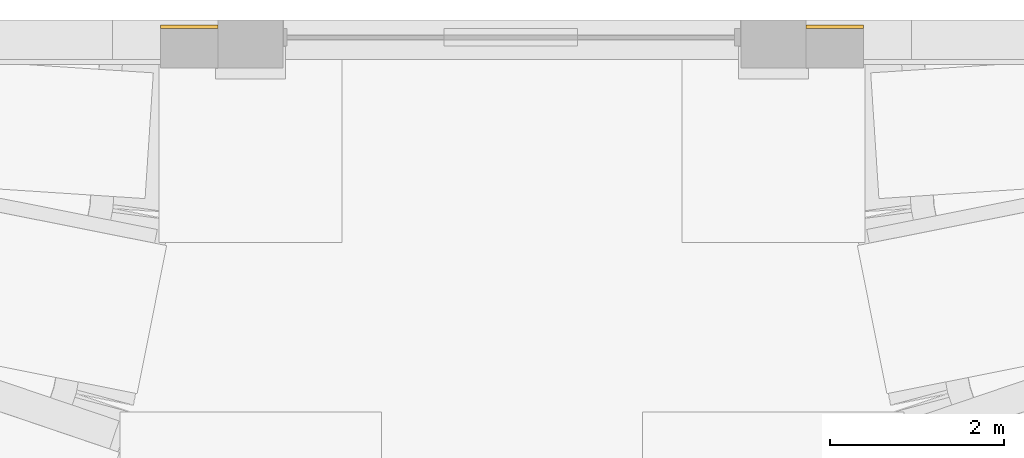
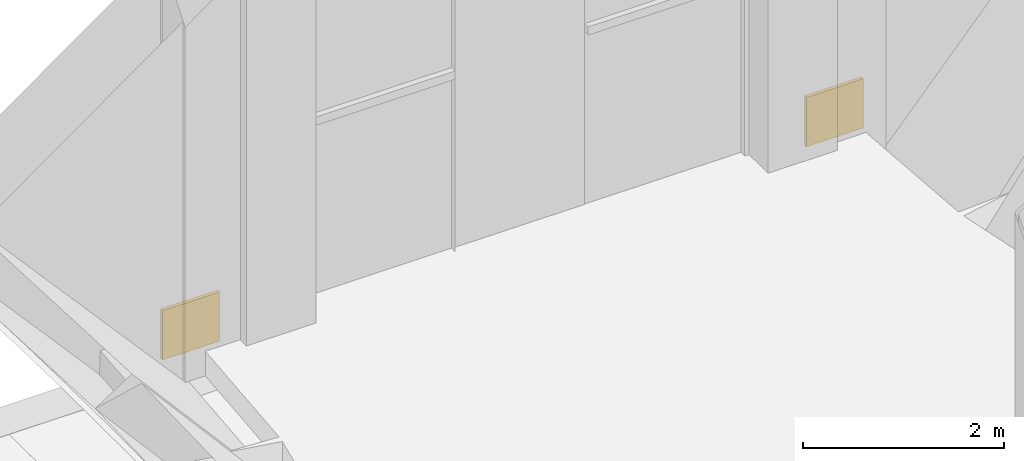
# One storey, part 94 of 95: 2 coverings.
"""IFC4 building model written with IfcOpenShell, lengths in metres."""

from ifc_helpers import new_model, si_unit, direction, frame, origin, origin_2d, place, context, subcontext, project, spatial, rectangle, extrude, material, layer, layer_set, type_object, element, save


model = new_model("IFC4")

# Units and contexts
model_context = context("Model", 3, precision=1e-05, world=origin(), true_north=direction((0.0, 1.0)))
body_context = subcontext(model_context, "Body", "Model", "MODEL_VIEW")
ifc_project = project(units=[si_unit("LENGTHUNIT", "METRE"), si_unit("AREAUNIT", "SQUARE_METRE"), si_unit("VOLUMEUNIT", "CUBIC_METRE"), si_unit("PLANEANGLEUNIT", "RADIAN"), si_unit("MASSUNIT", "GRAM", prefix="KILO")], contexts=[model_context])

# Site, building, storey
site_placement = place(None, origin())
site = spatial("IfcSite", under=ifc_project, at=site_placement, CompositionType="ELEMENT")
building_placement = place(site_placement, origin())
building = spatial("IfcBuilding", under=site, at=building_placement, Name="Saffron Lane Theatres", CompositionType="ELEMENT")
storey_placement = place(building_placement, origin())
storey = spatial("IfcBuildingStorey", under=building, at=storey_placement, Name="L00", CompositionType="ELEMENT", Elevation=0.0)

# Coverings
ifc_material = material(Name="Masonry bluestone", Category="masonry")
ifc_layer = layer(ifc_material, 0.0400390625)
ifc_layer_set = layer_set([ifc_layer], Name="Masonry bluestone")
covering_type = type_object("IfcCoveringType", Name="EX-PLINTH BLUESTONE 600", PredefinedType="CLADDING", material=ifc_layer_set)
for number, where, z_axis, x_axis, name in (
    (1, (29.296630859375, 125.920166015625, 0.0), (0.0, 0.0, 1.0), (1.0, 0.0, 0.0), "Facade plinth L00"),
    (2, (36.703369140625, 125.920166015625, 0.0), (0.0, 0.0, 1.0), (1.0, 0.0, 0.0), "Facade plinth L00"),
):
    element("IfcCovering", number, at=place(storey_placement, frame(where, z_axis=z_axis, x_axis=x_axis)), inside=storey, type_object=covering_type, Name=name, PredefinedType="CLADDING", context=body_context, shape_type="SweptSolid", body=[
        extrude(rectangle(XDim=0.65673828125, YDim=0.0400390625, at=origin_2d()), origin(), (0.0, 0.0, 1.0), 0.60009765625),
    ])

save(model, "model.ifc")
